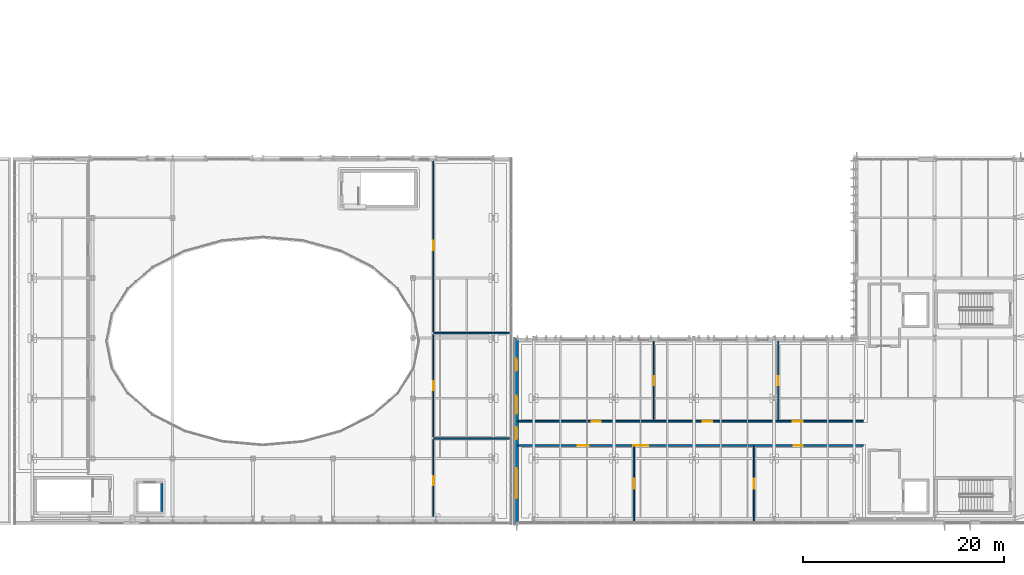
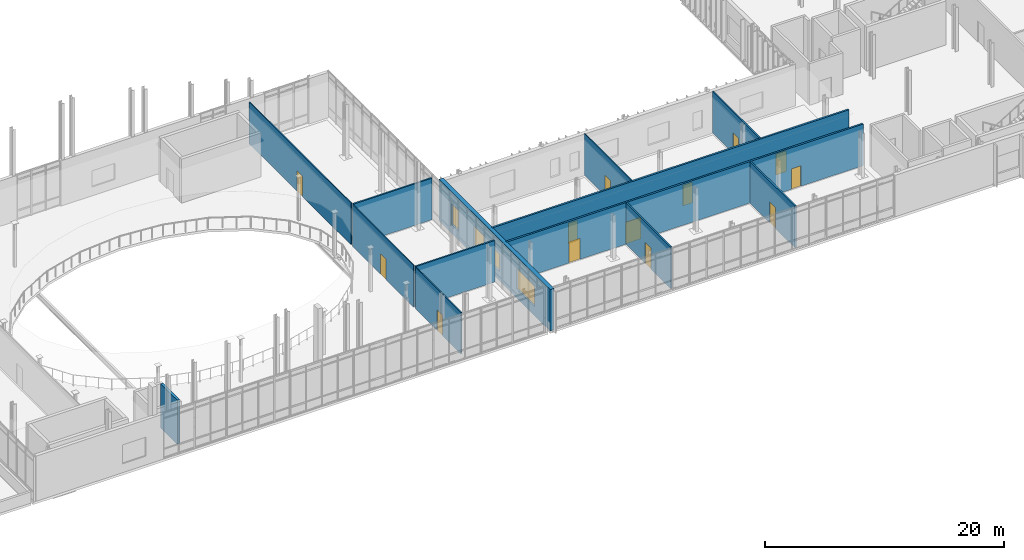
# One storey, part 61 of 86: 13 doors, 13 walls, 4 windows, 17 openings.
"""IFC4 building model written with IfcOpenShell, lengths in metres."""

from ifc_helpers import new_model, si_unit, direction, frame, frame_2d, origin, place, context, subcontext, project, spatial, rectangle, extrude, material, layer, layer_set, type_object, element, fill, save


model = new_model("IFC4")

# Units and contexts
model_context = context("Model", 3, precision=1e-05, world=origin(), true_north=direction((0.0, 1.0)))
body_context = subcontext(model_context, "Body", "Model", "MODEL_VIEW")
ifc_project = project(units=[si_unit("LENGTHUNIT", "METRE"), si_unit("AREAUNIT", "SQUARE_METRE"), si_unit("VOLUMEUNIT", "CUBIC_METRE"), si_unit("PLANEANGLEUNIT", "RADIAN"), si_unit("MASSUNIT", "GRAM", prefix="KILO")], contexts=[model_context])

# Site, building, storey
site_placement = place(None, origin())
site = spatial("IfcSite", under=ifc_project, at=site_placement, CompositionType="ELEMENT")
building_placement = place(site_placement, origin())
building = spatial("IfcBuilding", under=site, at=building_placement, Name="Cymarion Research Institute", CompositionType="ELEMENT")
storey_placement = place(building_placement, frame((0.0, 0.0, 13.800048828125)))
storey = spatial("IfcBuildingStorey", under=building, at=storey_placement, Name="L03", CompositionType="ELEMENT", Elevation=13.800048828125)

# Wall, openings, windows
ifc_material_1 = material(Name="Precast concrete C40/50", Category="concrete")
ifc_layer_1 = layer(ifc_material_1, 0.3798828125)
ifc_layer_set_1 = layer_set([ifc_layer_1], Name="Precast concrete C40/50")
wall_type_1 = type_object("IfcWallType", Name="EXTERIOR WALL EW-PC380 380MM", PredefinedType="SOLIDWALL", material=ifc_layer_set_1)
wall_1_placement = place(storey_placement, frame((104.889892578125, 23.5, 0.0), z_axis=(0.0, 0.0, 1.0), x_axis=(0.0, -1.0, 0.0)))
wall_1 = element("IfcWall", 1, at=wall_1_placement, inside=storey, type_object=wall_type_1, Name="L03 V1 exterior wall EW-PC380 #180", PredefinedType="SOLIDWALL", context=body_context, shape_type="SweptSolid", body=[
    extrude(rectangle(XDim=18.60009765625, YDim=0.3798828125, at=frame_2d((9.300048828125, 0.0))), origin(), (0.0, 0.0, 1.0), 4.239990234375),
])
opening_1_placement = place(wall_1_placement, frame((2.070068359375, 0.0, 0.89990234375)))
opening_1 = element("IfcOpeningElement", 2, at=opening_1_placement, cuts=wall_1, Name="Opening W08", PredefinedType="OPENING", context=body_context, shape_type="SweptSolid", body=[
    extrude(rectangle(XDim=1.199951171875, YDim=2.10009765625, at=frame_2d((0.60009765625, 1.050048828125))), frame((0.0, 0.199951171875, 0.0), z_axis=(0.0, -1.0, 0.0), x_axis=(1.0, 0.0, 0.0)), (0.0, 0.0, 1.0), 0.39990234375),
])
opening_2_placement = place(wall_1_placement, frame((5.75, 0.0, 0.89990234375)))
opening_2 = element("IfcOpeningElement", 3, at=opening_2_placement, cuts=wall_1, Name="Opening W10", PredefinedType="OPENING", context=body_context, shape_type="SweptSolid", body=[
    extrude(rectangle(XDim=1.800048828125, YDim=2.10009765625, at=frame_2d((0.89990234375, 1.050048828125))), frame((0.0, 0.199951171875, 0.0), z_axis=(0.0, -1.0, 0.0), x_axis=(1.0, 0.0, 0.0)), (0.0, 0.0, 1.0), 0.39990234375),
])
opening_3_placement = place(wall_1_placement, frame((8.89990234375, 0.0, 0.89990234375)))
opening_3 = element("IfcOpeningElement", 4, at=opening_3_placement, cuts=wall_1, Name="Opening W01", PredefinedType="OPENING", context=body_context, shape_type="SweptSolid", body=[
    extrude(rectangle(XDim=1.199951171875, YDim=1.800048828125, at=frame_2d((0.60009765625, 0.89990234375))), frame((0.0, 0.199951171875, 0.0), z_axis=(0.0, -1.0, 0.0), x_axis=(1.0, 0.0, 0.0)), (0.0, 0.0, 1.0), 0.39990234375),
])
opening_4_placement = place(wall_1_placement, frame((12.97998046875, 0.0, 0.89990234375)))
opening_4 = element("IfcOpeningElement", 5, at=opening_4_placement, cuts=wall_1, Name="Opening W14", PredefinedType="OPENING", context=body_context, shape_type="SweptSolid", body=[
    extrude(rectangle(XDim=3.0, YDim=2.10009765625, at=frame_2d((1.5, 1.050048828125))), frame((0.0, 0.199951171875, 0.0), z_axis=(0.0, -1.0, 0.0), x_axis=(1.0, 0.0, 0.0)), (0.0, 0.0, 1.0), 0.39990234375),
])
ifc_material_2 = material(Name="Thermally broken aluminium window with Low-E glazing", Category="aluminium")
window_type_1 = type_object("IfcWindowType", Name="THERMALLY BROKEN ALUMINIUM WINDOW W01 1200X1800", PartitioningType="SINGLE_PANEL", PredefinedType="WINDOW", material=ifc_material_2)
window_1_placement = place(opening_3_placement, origin())
window_1 = element("IfcWindow", 6, at=window_1_placement, inside=storey, type_object=window_type_1, Name="L03 V1 facade window W01 #330", OverallHeight=1.800048828125, OverallWidth=1.199951171875, PartitioningType="SINGLE_PANEL", PredefinedType="WINDOW", context=body_context, shape_type="SweptSolid", body=[
    extrude(rectangle(XDim=1.199951171875, YDim=1.800048828125, at=frame_2d((0.60009765625, 0.89990234375))), frame((0.0, 0.030029296875, 0.0), z_axis=(0.0, -1.0, 0.0), x_axis=(1.0, 0.0, 0.0)), (0.0, 0.0, 1.0), 0.06005859375),
])
fill(opening_3, window_1)
window_type_2 = type_object("IfcWindowType", Name="THERMALLY BROKEN ALUMINIUM WINDOW W08 1200X2100", PartitioningType="SINGLE_PANEL", PredefinedType="WINDOW", material=ifc_material_2)
window_2_placement = place(opening_1_placement, origin())
window_2 = element("IfcWindow", 7, at=window_2_placement, inside=storey, type_object=window_type_2, Name="L03 V1 facade window W08 #328", OverallHeight=2.10009765625, OverallWidth=1.199951171875, PartitioningType="SINGLE_PANEL", PredefinedType="WINDOW", context=body_context, shape_type="SweptSolid", body=[
    extrude(rectangle(XDim=1.199951171875, YDim=2.10009765625, at=frame_2d((0.60009765625, 1.050048828125))), frame((0.0, 0.030029296875, 0.0), z_axis=(0.0, -1.0, 0.0), x_axis=(1.0, 0.0, 0.0)), (0.0, 0.0, 1.0), 0.06005859375),
])
fill(opening_1, window_2)
window_type_3 = type_object("IfcWindowType", Name="THERMALLY BROKEN ALUMINIUM WINDOW W10 1800X2100", PartitioningType="DOUBLE_PANEL_VERTICAL", PredefinedType="WINDOW", material=ifc_material_2)
window_3_placement = place(opening_2_placement, origin())
window_3 = element("IfcWindow", 8, at=window_3_placement, inside=storey, type_object=window_type_3, Name="L03 V1 facade window W10 #329", OverallHeight=2.10009765625, OverallWidth=1.800048828125, PartitioningType="SINGLE_PANEL", PredefinedType="WINDOW", context=body_context, shape_type="SweptSolid", body=[
    extrude(rectangle(XDim=1.800048828125, YDim=2.10009765625, at=frame_2d((0.89990234375, 1.050048828125))), frame((0.0, 0.030029296875, 0.0), z_axis=(0.0, -1.0, 0.0), x_axis=(1.0, 0.0, 0.0)), (0.0, 0.0, 1.0), 0.06005859375),
])
fill(opening_2, window_3)
window_type_4 = type_object("IfcWindowType", Name="THERMALLY BROKEN ALUMINIUM WINDOW W14 3000X2100", PartitioningType="TRIPLE_PANEL_VERTICAL", PredefinedType="WINDOW", material=ifc_material_2)
window_4_placement = place(opening_4_placement, origin())
window_4 = element("IfcWindow", 9, at=window_4_placement, inside=storey, type_object=window_type_4, Name="L03 V1 facade window W14 #331", OverallHeight=2.10009765625, OverallWidth=3.0, PartitioningType="SINGLE_PANEL", PredefinedType="WINDOW", context=body_context, shape_type="SweptSolid", body=[
    extrude(rectangle(XDim=3.0, YDim=2.10009765625, at=frame_2d((1.5, 1.050048828125))), frame((0.0, 0.030029296875, 0.0), z_axis=(0.0, -1.0, 0.0), x_axis=(1.0, 0.0, 0.0)), (0.0, 0.0, 1.0), 0.06005859375),
])
fill(opening_4, window_4)

# Wall, opening, door
ifc_material_3 = material(Name="Gypsum acoustic double-stud partition", Category="gypsum")
ifc_layer_2 = layer(ifc_material_3, 0.14990234375)
ifc_layer_set_2 = layer_set([ifc_layer_2], Name="Gypsum acoustic double-stud partition")
wall_type_2 = type_object("IfcWallType", Name="INTERIOR PARTITION IW-AC150 150MM", PredefinedType="PARTITIONING", material=ifc_layer_set_2)
wall_2_placement = place(storey_placement, frame((116.60009765625, 5.205078125, 0.0), z_axis=(0.0, 0.0, 1.0), x_axis=(0.0, 1.0, 0.0)))
wall_2 = element("IfcWall", 10, at=wall_2_placement, inside=storey, type_object=wall_type_2, Name="L03 V1 interior partition IW-AC150 #222", PredefinedType="PARTITIONING", context=body_context, shape_type="SweptSolid", body=[
    extrude(rectangle(XDim=7.514892578125, YDim=0.14990234375, at=frame_2d((3.75732421875, 0.0))), origin(), (0.0, 0.0, 1.0), 4.25),
])
opening_5_placement = place(wall_2_placement, frame((3.258056640625, 0.0, 0.0)))
opening_5 = element("IfcOpeningElement", 11, at=opening_5_placement, cuts=wall_2, Name="Opening D-L03-147", PredefinedType="OPENING", context=body_context, shape_type="SweptSolid", body=[
    extrude(rectangle(XDim=1.0, YDim=2.14990234375, at=frame_2d((0.5, 1.074951171875))), frame((0.0, 0.0849609375, 0.0), z_axis=(0.0, -1.0, 0.0), x_axis=(1.0, 0.0, 0.0)), (0.0, 0.0, 1.0), 0.169921875),
])
ifc_material_4 = material(Name="Flush acoustic timber/steel door assembly", Category="steel")
door_type_1 = type_object("IfcDoorType", Name="LABORATORY SINGLE LEAF DOOR DT-LB100 1000X2150", OperationType="NOTDEFINED", PredefinedType="DOOR", material=ifc_material_4)
door_1_placement = place(opening_5_placement, origin())
door_1 = element("IfcDoor", 12, at=door_1_placement, inside=storey, type_object=door_type_1, Name="L03 Inter-lab door D-L03-147", OperationType="SINGLE_SWING_RIGHT", OverallHeight=2.14990234375, OverallWidth=1.0, PredefinedType="DOOR", context=body_context, shape_type="SweptSolid", body=[
    extrude(rectangle(XDim=1.0, YDim=2.14990234375, at=frame_2d((0.5, 1.074951171875))), frame((0.0, 0.02490234375, 0.0), z_axis=(0.0, -1.0, 0.0), x_axis=(1.0, 0.0, 0.0)), (0.0, 0.0, 1.0), 0.050048828125),
])
fill(opening_5, door_1)

wall_3_placement = place(storey_placement, frame((128.60009765625, 5.205078125, 0.0), z_axis=(0.0, 0.0, 1.0), x_axis=(0.0, 1.0, 0.0)))
wall_3 = element("IfcWall", 13, at=wall_3_placement, inside=storey, type_object=wall_type_2, Name="L03 V1 interior partition IW-AC150 #223", PredefinedType="PARTITIONING", context=body_context, shape_type="SweptSolid", body=[
    extrude(rectangle(XDim=7.514892578125, YDim=0.14990234375, at=frame_2d((3.75732421875, 0.0))), origin(), (0.0, 0.0, 1.0), 4.25),
])
opening_6_placement = place(wall_3_placement, frame((3.258056640625, 0.0, 0.0)))
opening_6 = element("IfcOpeningElement", 14, at=opening_6_placement, cuts=wall_3, Name="Opening D-L03-148", PredefinedType="OPENING", context=body_context, shape_type="SweptSolid", body=[
    extrude(rectangle(XDim=1.0, YDim=2.14990234375, at=frame_2d((0.5, 1.074951171875))), frame((0.0, 0.0849609375, 0.0), z_axis=(0.0, -1.0, 0.0), x_axis=(1.0, 0.0, 0.0)), (0.0, 0.0, 1.0), 0.169921875),
])
door_2_placement = place(opening_6_placement, origin())
door_2 = element("IfcDoor", 15, at=door_2_placement, inside=storey, type_object=door_type_1, Name="L03 Inter-lab door D-L03-148", OperationType="SINGLE_SWING_LEFT", OverallHeight=2.14990234375, OverallWidth=1.0, PredefinedType="DOOR", context=body_context, shape_type="SweptSolid", body=[
    extrude(rectangle(XDim=1.0, YDim=2.14990234375, at=frame_2d((0.5, 1.074951171875))), frame((0.0, 0.02490234375, 0.0), z_axis=(0.0, -1.0, 0.0), x_axis=(1.0, 0.0, 0.0)), (0.0, 0.0, 1.0), 0.050048828125),
])
fill(opening_6, door_2)

# Walls
for number, where, z_axis, x_axis, name in (
    (16, (96.64990234375, 13.5, 0.0), (0.0, 0.0, 1.0), (1.0, 0.0, 0.0), "L03 V2 interior partition IW-AC150 #231"),
    (17, (96.64990234375, 24.0, 0.0), (0.0, 0.0, 1.0), (1.0, 0.0, 0.0), "L03 V2 interior partition IW-AC150 #232"),
):
    element("IfcWall", number, at=place(storey_placement, frame(where, z_axis=z_axis, x_axis=x_axis)), inside=storey, type_object=wall_type_2, Name=name, PredefinedType="PARTITIONING", context=body_context, shape_type="SweptSolid", body=[
        extrude(rectangle(XDim=7.630126953125, YDim=0.14990234375, at=frame_2d((3.81494140625, 0.0))), origin(), (0.0, 0.0, 1.0), 4.25),
    ])

# Wall, opening, door
ifc_material_5 = material(Name="Framed acoustic glass laboratory screen", Category="glass")
ifc_layer_3 = layer(ifc_material_5, 0.10009765625)
ifc_layer_set_3 = layer_set([ifc_layer_3], Name="Framed acoustic glass laboratory screen")
wall_type_3 = type_object("IfcWallType", Name="INTERIOR PARTITION IW-GL100 100MM", PredefinedType="PARTITIONING", material=ifc_layer_set_3)
wall_4_placement = place(storey_placement, frame((118.60009765625, 15.320068359375, 0.0), z_axis=(0.0, 0.0, 1.0), x_axis=(0.0, 1.0, 0.0)))
wall_4 = element("IfcWall", 18, at=wall_4_placement, inside=storey, type_object=wall_type_3, Name="L03 V1 interior partition IW-GL100 #224", PredefinedType="PARTITIONING", context=body_context, shape_type="SweptSolid", body=[
    extrude(rectangle(XDim=7.875, YDim=0.10009765625, at=frame_2d((3.9375, 0.0))), origin(), (0.0, 0.0, 1.0), 4.25),
])
opening_7_placement = place(wall_4_placement, frame((3.487060546875, 0.0, 0.0)))
opening_7 = element("IfcOpeningElement", 19, at=opening_7_placement, cuts=wall_4, Name="Opening D-L03-149", PredefinedType="OPENING", context=body_context, shape_type="SweptSolid", body=[
    extrude(rectangle(XDim=0.89990234375, YDim=2.10009765625, at=frame_2d((0.449951171875, 1.050048828125))), frame((0.0, 0.06005859375, 0.0), z_axis=(0.0, -1.0, 0.0), x_axis=(1.0, 0.0, 0.0)), (0.0, 0.0, 1.0), 0.1201171875),
])
door_type_2 = type_object("IfcDoorType", Name="RESEARCH WRITE-UP OFFICE DOOR DT-OF090 900X2100", OperationType="NOTDEFINED", PredefinedType="DOOR", material=ifc_material_4)
door_3_placement = place(opening_7_placement, origin())
door_3 = element("IfcDoor", 20, at=door_3_placement, inside=storey, type_object=door_type_2, Name="L03 Write-up door D-L03-149", OperationType="SINGLE_SWING_RIGHT", OverallHeight=2.10009765625, OverallWidth=0.89990234375, PredefinedType="DOOR", context=body_context, shape_type="SweptSolid", body=[
    extrude(rectangle(XDim=0.89990234375, YDim=2.10009765625, at=frame_2d((0.449951171875, 1.050048828125))), frame((0.0, 0.02490234375, 0.0), z_axis=(0.0, -1.0, 0.0), x_axis=(1.0, 0.0, 0.0)), (0.0, 0.0, 1.0), 0.050048828125),
])
fill(opening_7, door_3)

wall_5_placement = place(storey_placement, frame((96.60009765625, 5.75, 0.0), z_axis=(0.0, 0.0, 1.0), x_axis=(0.0, 1.0, 0.0)))
wall_5 = element("IfcWall", 21, at=wall_5_placement, inside=storey, type_object=wall_type_3, Name="L03 V2 interior partition IW-GL100 #233", PredefinedType="PARTITIONING", context=body_context, shape_type="SweptSolid", body=[
    extrude(rectangle(XDim=7.60009765625, YDim=0.10009765625, at=frame_2d((3.800048828125, 0.0))), origin(), (0.0, 0.0, 1.0), 4.25),
])
opening_8_placement = place(wall_5_placement, frame((3.072021484375, 0.0, 0.0)))
opening_8 = element("IfcOpeningElement", 22, at=opening_8_placement, cuts=wall_5, Name="Opening D-L03-156", PredefinedType="OPENING", context=body_context, shape_type="SweptSolid", body=[
    extrude(rectangle(XDim=0.89990234375, YDim=2.10009765625, at=frame_2d((0.449951171875, 1.050048828125))), frame((0.0, 0.06005859375, 0.0), z_axis=(0.0, -1.0, 0.0), x_axis=(1.0, 0.0, 0.0)), (0.0, 0.0, 1.0), 0.1201171875),
])
door_type_3 = type_object("IfcDoorType", Name="ACCESSIBLE RESTROOM DOOR DT-WC090 900X2100", OperationType="NOTDEFINED", PredefinedType="DOOR", material=ifc_material_4)
door_4_placement = place(opening_8_placement, origin())
door_4 = element("IfcDoor", 23, at=door_4_placement, inside=storey, type_object=door_type_3, Name="L03 Public Restroom door D-L03-156", OperationType="SINGLE_SWING_LEFT", OverallHeight=2.10009765625, OverallWidth=0.89990234375, PredefinedType="DOOR", context=body_context, shape_type="SweptSolid", body=[
    extrude(rectangle(XDim=0.89990234375, YDim=2.10009765625, at=frame_2d((0.449951171875, 1.050048828125))), frame((0.0, 0.02490234375, 0.0), z_axis=(0.0, -1.0, 0.0), x_axis=(1.0, 0.0, 0.0)), (0.0, 0.0, 1.0), 0.050048828125),
])
fill(opening_8, door_4)

wall_6_placement = place(storey_placement, frame((96.60009765625, 13.64990234375, 0.0), z_axis=(0.0, 0.0, 1.0), x_axis=(0.0, 1.0, 0.0)))
wall_6 = element("IfcWall", 24, at=wall_6_placement, inside=storey, type_object=wall_type_3, Name="L03 V2 interior partition IW-GL100 #234", PredefinedType="PARTITIONING", context=body_context, shape_type="SweptSolid", body=[
    extrude(rectangle(XDim=10.2001953125, YDim=0.10009765625, at=frame_2d((5.10009765625, 0.0))), origin(), (0.0, 0.0, 1.0), 4.25),
])
opening_9_placement = place(wall_6_placement, frame((4.64990234375, 0.0, 0.0)))
opening_9 = element("IfcOpeningElement", 25, at=opening_9_placement, cuts=wall_6, Name="Opening D-L03-157", PredefinedType="OPENING", context=body_context, shape_type="SweptSolid", body=[
    extrude(rectangle(XDim=0.89990234375, YDim=2.10009765625, at=frame_2d((0.449951171875, 1.050048828125))), frame((0.0, 0.06005859375, 0.0), z_axis=(0.0, -1.0, 0.0), x_axis=(1.0, 0.0, 0.0)), (0.0, 0.0, 1.0), 0.1201171875),
])
door_5_placement = place(opening_9_placement, origin())
door_5 = element("IfcDoor", 26, at=door_5_placement, inside=storey, type_object=door_type_2, Name="L03 Seminar door D-L03-157", OperationType="SINGLE_SWING_RIGHT", OverallHeight=2.10009765625, OverallWidth=0.89990234375, PredefinedType="DOOR", context=body_context, shape_type="SweptSolid", body=[
    extrude(rectangle(XDim=0.89990234375, YDim=2.10009765625, at=frame_2d((0.449951171875, 1.050048828125))), frame((0.0, 0.02490234375, 0.0), z_axis=(0.0, -1.0, 0.0), x_axis=(1.0, 0.0, 0.0)), (0.0, 0.0, 1.0), 0.050048828125),
])
fill(opening_9, door_5)

wall_7_placement = place(storey_placement, frame((96.60009765625, 24.14990234375, 0.0), z_axis=(0.0, 0.0, 1.0), x_axis=(0.0, 1.0, 0.0)))
wall_7 = element("IfcWall", 27, at=wall_7_placement, inside=storey, type_object=wall_type_3, Name="L03 V2 interior partition IW-GL100 #235", PredefinedType="PARTITIONING", context=body_context, shape_type="SweptSolid", body=[
    extrude(rectangle(XDim=17.10009765625, YDim=0.10009765625, at=frame_2d((8.550048828125, 0.0))), origin(), (0.0, 0.0, 1.0), 4.25),
])
opening_10_placement = place(wall_7_placement, frame((8.089111328125, 0.0, 0.0)))
opening_10 = element("IfcOpeningElement", 28, at=opening_10_placement, cuts=wall_7, Name="Opening D-L03-158", PredefinedType="OPENING", context=body_context, shape_type="SweptSolid", body=[
    extrude(rectangle(XDim=0.949951171875, YDim=2.10009765625, at=frame_2d((0.47509765625, 1.050048828125))), frame((0.0, 0.06005859375, 0.0), z_axis=(0.0, -1.0, 0.0), x_axis=(1.0, 0.0, 0.0)), (0.0, 0.0, 1.0), 0.1201171875),
])
door_type_4 = type_object("IfcDoorType", Name="FACULTY STUDY DOOR DT-OF095 950X2100", OperationType="NOTDEFINED", PredefinedType="DOOR", material=ifc_material_4)
door_6_placement = place(opening_10_placement, origin())
door_6 = element("IfcDoor", 29, at=door_6_placement, inside=storey, type_object=door_type_4, Name="L03 Reading door D-L03-158", OperationType="SINGLE_SWING_LEFT", OverallHeight=2.10009765625, OverallWidth=0.949951171875, PredefinedType="DOOR", context=body_context, shape_type="SweptSolid", body=[
    extrude(rectangle(XDim=0.949951171875, YDim=2.10009765625, at=frame_2d((0.47509765625, 1.050048828125))), frame((0.0, 0.02490234375, 0.0), z_axis=(0.0, -1.0, 0.0), x_axis=(1.0, 0.0, 0.0)), (0.0, 0.0, 1.0), 0.050048828125),
])
fill(opening_10, door_6)

# Wall, openings, doors
ifc_material_6 = material(Name="Moisture-resistant laboratory partition", Category="gypsum")
ifc_layer_4 = layer(ifc_material_6, 0.179931640625)
ifc_layer_set_4 = layer_set([ifc_layer_4], Name="Moisture-resistant laboratory partition")
wall_type_4 = type_object("IfcWallType", Name="INTERIOR PARTITION IW-LB180 180MM", PredefinedType="PARTITIONING", material=ifc_layer_set_4)
wall_8_placement = place(storey_placement, frame((105.0048828125, 12.800048828125, 0.0), z_axis=(0.0, 0.0, 1.0), x_axis=(1.0, 0.0, 0.0)))
wall_8 = element("IfcWall", 30, at=wall_8_placement, inside=storey, type_object=wall_type_4, Name="L03 V1 interior partition IW-LB180 #220", PredefinedType="PARTITIONING", context=body_context, shape_type="SweptSolid", body=[
    extrude(rectangle(XDim=34.4951171875, YDim=0.179931640625, at=frame_2d((17.24755859375, 0.0))), origin(), (0.0, 0.0, 1.0), 4.25),
])
opening_11_placement = place(wall_8_placement, frame((6.010986328125, 0.0, 0.0)))
opening_11 = element("IfcOpeningElement", 31, at=opening_11_placement, cuts=wall_8, Name="Opening D-L03-141", PredefinedType="OPENING", context=body_context, shape_type="SweptSolid", body=[
    extrude(rectangle(XDim=1.10009765625, YDim=2.14990234375, at=frame_2d((0.550048828125, 1.074951171875))), frame((0.0, 0.099853515625, 0.0), z_axis=(0.0, -1.0, 0.0), x_axis=(1.0, 0.0, 0.0)), (0.0, 0.0, 1.0), 0.199951171875),
])
opening_12_placement = place(wall_8_placement, frame((11.548095703125, 0.0, 0.0)))
opening_12 = element("IfcOpeningElement", 32, at=opening_12_placement, cuts=wall_8, Name="Opening D-L03-142", PredefinedType="OPENING", context=body_context, shape_type="SweptSolid", body=[
    extrude(rectangle(XDim=1.5, YDim=2.199951171875, at=frame_2d((0.75, 1.10009765625))), frame((0.0, 0.099853515625, 0.0), z_axis=(0.0, -1.0, 0.0), x_axis=(1.0, 0.0, 0.0)), (0.0, 0.0, 1.0), 0.199951171875),
])
opening_13_placement = place(wall_8_placement, frame((27.548095703125, 0.0, 0.0)))
opening_13 = element("IfcOpeningElement", 33, at=opening_13_placement, cuts=wall_8, Name="Opening D-L03-143", PredefinedType="OPENING", context=body_context, shape_type="SweptSolid", body=[
    extrude(rectangle(XDim=0.89990234375, YDim=2.10009765625, at=frame_2d((0.449951171875, 1.050048828125))), frame((0.0, 0.099853515625, 0.0), z_axis=(0.0, -1.0, 0.0), x_axis=(1.0, 0.0, 0.0)), (0.0, 0.0, 1.0), 0.199951171875),
])
door_7_placement = place(opening_13_placement, origin())
door_7 = element("IfcDoor", 34, at=door_7_placement, inside=storey, type_object=door_type_3, Name="L03 Restroom door D-L03-143", OperationType="SINGLE_SWING_RIGHT", OverallHeight=2.10009765625, OverallWidth=0.89990234375, PredefinedType="DOOR", context=body_context, shape_type="SweptSolid", body=[
    extrude(rectangle(XDim=0.89990234375, YDim=2.10009765625, at=frame_2d((0.449951171875, 1.050048828125))), frame((0.0, 0.02490234375, 0.0), z_axis=(0.0, -1.0, 0.0), x_axis=(1.0, 0.0, 0.0)), (0.0, 0.0, 1.0), 0.050048828125),
])
fill(opening_13, door_7)
door_type_5 = type_object("IfcDoorType", Name="LABORATORY EQUIPMENT DOUBLE DOOR DT-LB150 1500X2200", OperationType="DOUBLE_DOOR_SINGLE_SWING", PredefinedType="DOOR", material=ifc_material_4)
door_8_placement = place(opening_12_placement, origin())
door_8 = element("IfcDoor", 35, at=door_8_placement, inside=storey, type_object=door_type_5, Name="L03 Lab S2 door D-L03-142", OperationType="DOUBLE_DOOR_SINGLE_SWING", OverallHeight=2.199951171875, OverallWidth=1.5, PredefinedType="DOOR", context=body_context, shape_type="SweptSolid", body=[
    extrude(rectangle(XDim=1.5, YDim=2.199951171875, at=frame_2d((0.75, 1.10009765625))), frame((0.0, 0.02490234375, 0.0), z_axis=(0.0, -1.0, 0.0), x_axis=(1.0, 0.0, 0.0)), (0.0, 0.0, 1.0), 0.050048828125),
])
fill(opening_12, door_8)
door_type_6 = type_object("IfcDoorType", Name="LABORATORY WIDE SINGLE DOOR DT-LB110 1100X2150", OperationType="NOTDEFINED", PredefinedType="DOOR", material=ifc_material_4)
door_9_placement = place(opening_11_placement, origin())
door_9 = element("IfcDoor", 36, at=door_9_placement, inside=storey, type_object=door_type_6, Name="L03 Lab S1 door D-L03-141", OperationType="SINGLE_SWING_RIGHT", OverallHeight=2.14990234375, OverallWidth=1.10009765625, PredefinedType="DOOR", context=body_context, shape_type="SweptSolid", body=[
    extrude(rectangle(XDim=1.10009765625, YDim=2.14990234375, at=frame_2d((0.550048828125, 1.074951171875))), frame((0.0, 0.02490234375, 0.0), z_axis=(0.0, -1.0, 0.0), x_axis=(1.0, 0.0, 0.0)), (0.0, 0.0, 1.0), 0.050048828125),
])
fill(opening_11, door_9)

wall_9_placement = place(storey_placement, frame((105.0048828125, 15.199951171875, 0.0), z_axis=(0.0, 0.0, 1.0), x_axis=(1.0, 0.0, 0.0)))
wall_9 = element("IfcWall", 37, at=wall_9_placement, inside=storey, type_object=wall_type_4, Name="L03 V1 interior partition IW-LB180 #221", PredefinedType="PARTITIONING", context=body_context, shape_type="SweptSolid", body=[
    extrude(rectangle(XDim=34.4951171875, YDim=0.179931640625, at=frame_2d((17.24755859375, 0.0))), origin(), (0.0, 0.0, 1.0), 4.25),
])
opening_14_placement = place(wall_9_placement, frame((7.39111328125, 0.0, 0.0)))
opening_14 = element("IfcOpeningElement", 38, at=opening_14_placement, cuts=wall_9, Name="Opening D-L03-144", PredefinedType="OPENING", context=body_context, shape_type="SweptSolid", body=[
    extrude(rectangle(XDim=0.89990234375, YDim=2.10009765625, at=frame_2d((0.449951171875, 1.050048828125))), frame((0.0, 0.099853515625, 0.0), z_axis=(0.0, -1.0, 0.0), x_axis=(1.0, 0.0, 0.0)), (0.0, 0.0, 1.0), 0.199951171875),
])
opening_15_placement = place(wall_9_placement, frame((18.449951171875, 0.0, 0.0)))
opening_15 = element("IfcOpeningElement", 39, at=opening_15_placement, cuts=wall_9, Name="Opening D-L03-145", PredefinedType="OPENING", context=body_context, shape_type="SweptSolid", body=[
    extrude(rectangle(XDim=0.949951171875, YDim=2.10009765625, at=frame_2d((0.47509765625, 1.050048828125))), frame((0.0, 0.099853515625, 0.0), z_axis=(0.0, -1.0, 0.0), x_axis=(1.0, 0.0, 0.0)), (0.0, 0.0, 1.0), 0.199951171875),
])
opening_16_placement = place(wall_9_placement, frame((27.466064453125, 0.0, 0.0)))
opening_16 = element("IfcOpeningElement", 40, at=opening_16_placement, cuts=wall_9, Name="Opening D-L03-146", PredefinedType="OPENING", context=body_context, shape_type="SweptSolid", body=[
    extrude(rectangle(XDim=1.0, YDim=2.14990234375, at=frame_2d((0.5, 1.074951171875))), frame((0.0, 0.099853515625, 0.0), z_axis=(0.0, -1.0, 0.0), x_axis=(1.0, 0.0, 0.0)), (0.0, 0.0, 1.0), 0.199951171875),
])
door_10_placement = place(opening_15_placement, origin())
door_10 = element("IfcDoor", 41, at=door_10_placement, inside=storey, type_object=door_type_4, Name="L03 Write-up 2 door D-L03-145", OperationType="SINGLE_SWING_RIGHT", OverallHeight=2.10009765625, OverallWidth=0.949951171875, PredefinedType="DOOR", context=body_context, shape_type="SweptSolid", body=[
    extrude(rectangle(XDim=0.949951171875, YDim=2.10009765625, at=frame_2d((0.47509765625, 1.050048828125))), frame((0.0, 0.02490234375, 0.0), z_axis=(0.0, -1.0, 0.0), x_axis=(1.0, 0.0, 0.0)), (0.0, 0.0, 1.0), 0.050048828125),
])
fill(opening_15, door_10)
door_11_placement = place(opening_16_placement, origin())
door_11 = element("IfcDoor", 42, at=door_11_placement, inside=storey, type_object=door_type_1, Name="L03 Prep Room door D-L03-146", OperationType="SINGLE_SWING_LEFT", OverallHeight=2.14990234375, OverallWidth=1.0, PredefinedType="DOOR", context=body_context, shape_type="SweptSolid", body=[
    extrude(rectangle(XDim=1.0, YDim=2.14990234375, at=frame_2d((0.5, 1.074951171875))), frame((0.0, 0.02490234375, 0.0), z_axis=(0.0, -1.0, 0.0), x_axis=(1.0, 0.0, 0.0)), (0.0, 0.0, 1.0), 0.050048828125),
])
fill(opening_16, door_11)
door_12_placement = place(opening_14_placement, origin())
door_12 = element("IfcDoor", 43, at=door_12_placement, inside=storey, type_object=door_type_2, Name="L03 Write-up 1 door D-L03-144", OperationType="SINGLE_SWING_LEFT", OverallHeight=2.10009765625, OverallWidth=0.89990234375, PredefinedType="DOOR", context=body_context, shape_type="SweptSolid", body=[
    extrude(rectangle(XDim=0.89990234375, YDim=2.10009765625, at=frame_2d((0.449951171875, 1.050048828125))), frame((0.0, 0.02490234375, 0.0), z_axis=(0.0, -1.0, 0.0), x_axis=(1.0, 0.0, 0.0)), (0.0, 0.0, 1.0), 0.050048828125),
])
fill(opening_14, door_12)

# Wall, opening, door
ifc_material_7 = material(Name="Service riser shaft wall", Category="gypsum")
ifc_layer_5 = layer(ifc_material_7, 0.1201171875)
ifc_layer_set_5 = layer_set([ifc_layer_5], Name="Service riser shaft wall")
wall_type_5 = type_object("IfcWallType", Name="INTERIOR PARTITION IW-SH120 120MM", PredefinedType="PARTITIONING", material=ifc_layer_set_5)
wall_10_placement = place(storey_placement, frame((131.0, 15.320068359375, 0.0), z_axis=(0.0, 0.0, 1.0), x_axis=(0.0, 1.0, 0.0)))
wall_10 = element("IfcWall", 44, at=wall_10_placement, inside=storey, type_object=wall_type_5, Name="L03 V1 interior partition IW-SH120 #225", PredefinedType="PARTITIONING", context=body_context, shape_type="SweptSolid", body=[
    extrude(rectangle(XDim=7.875, YDim=0.1201171875, at=frame_2d((3.9375, 0.0))), origin(), (0.0, 0.0, 1.0), 4.25),
])
opening_17_placement = place(wall_10_placement, frame((3.487060546875, 0.0, 0.0)))
opening_17 = element("IfcOpeningElement", 45, at=opening_17_placement, cuts=wall_10, Name="Opening D-L03-150", PredefinedType="OPENING", context=body_context, shape_type="SweptSolid", body=[
    extrude(rectangle(XDim=0.89990234375, YDim=2.10009765625, at=frame_2d((0.449951171875, 1.050048828125))), frame((0.0, 0.070068359375, 0.0), z_axis=(0.0, -1.0, 0.0), x_axis=(1.0, 0.0, 0.0)), (0.0, 0.0, 1.0), 0.14013671875),
])
door_13_placement = place(opening_17_placement, origin())
door_13 = element("IfcDoor", 46, at=door_13_placement, inside=storey, type_object=door_type_2, Name="L03 Seminar door D-L03-150", OperationType="SINGLE_SWING_LEFT", OverallHeight=2.10009765625, OverallWidth=0.89990234375, PredefinedType="DOOR", context=body_context, shape_type="SweptSolid", body=[
    extrude(rectangle(XDim=0.89990234375, YDim=2.10009765625, at=frame_2d((0.449951171875, 1.050048828125))), frame((0.0, 0.02490234375, 0.0), z_axis=(0.0, -1.0, 0.0), x_axis=(1.0, 0.0, 0.0)), (0.0, 0.0, 1.0), 0.050048828125),
])
fill(opening_17, door_13)

# Wall
ifc_material_8 = material(Name="Concrete C40/50", Category="concrete")
ifc_layer_6 = layer(ifc_material_8, 0.25)
ifc_layer_set_6 = layer_set([ifc_layer_6], Name="Concrete C40/50")
wall_type_6 = type_object("IfcWallType", Name="REINFORCED CONCRETE CORE WALL CW-SH250 250MM", PredefinedType="SHEAR", material=ifc_layer_set_6)
wall_11_placement = place(storey_placement, frame((69.52490234375, 6.199951171875, 0.0), z_axis=(0.0, 0.0, 1.0), x_axis=(0.0, 1.0, 0.0)))
element("IfcWall", 47, at=wall_11_placement, inside=storey, type_object=wall_type_6, Name="L03 LSH-LP2-L03 east core wall", PredefinedType="SHEAR", context=body_context, shape_type="SweptSolid", body=[
    extrude(rectangle(XDim=2.800048828125, YDim=0.25, at=frame_2d((1.39990234375, 0.0))), origin(), (0.0, 0.0, 1.0), 4.5),
])

save(model, "model.ifc")
